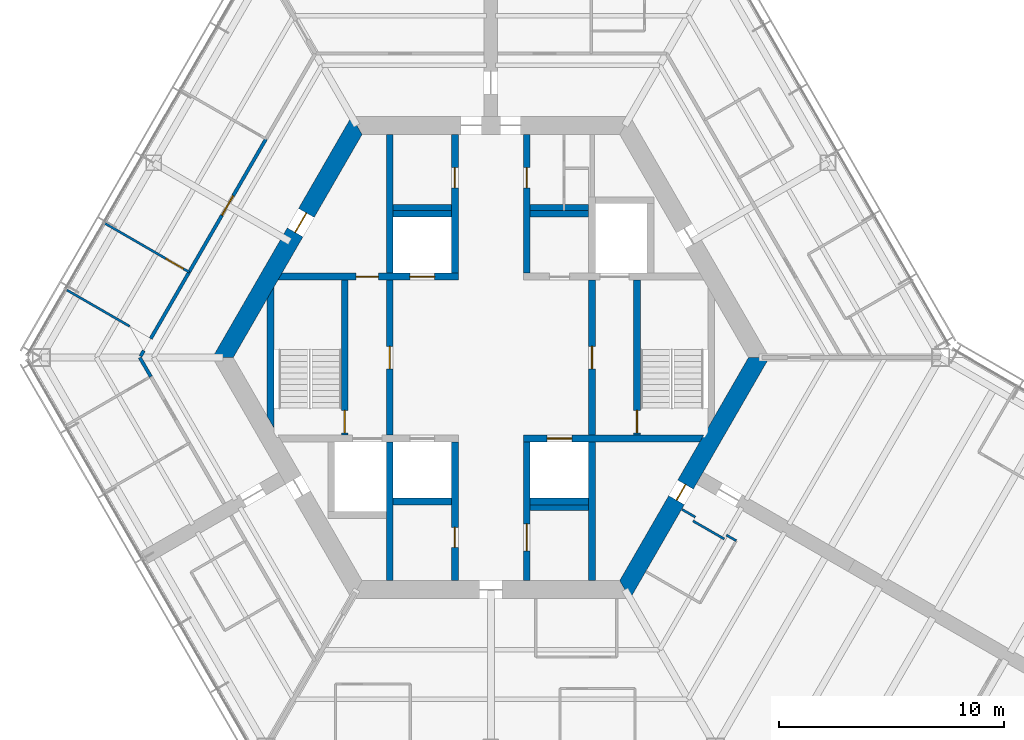
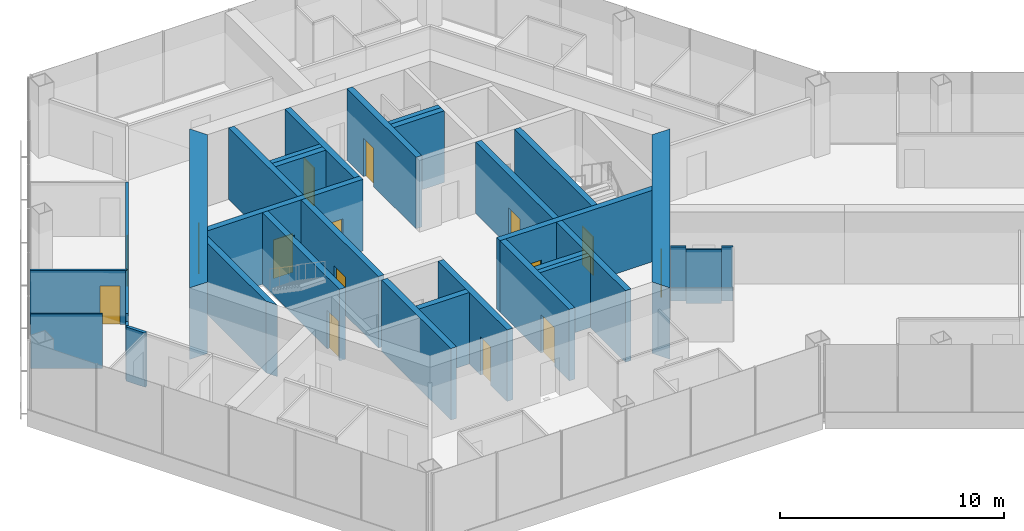
# One storey, part 11 of 17: 32 walls, 15 doors, 15 openings.
"""IFC4 building model written with IfcOpenShell, lengths in metres."""

from ifc_helpers import new_model, si_unit, direction, frame, frame_2d, origin, place, context, subcontext, project, spatial, polyline, rectangle, outline, extrude, material, layer, layer_set, type_object, element, fill, save


model = new_model("IFC4")

# Units and contexts
model_context = context("Model", 3, precision=1e-05, world=origin(), true_north=direction((0.0, 1.0)))
body_context = subcontext(model_context, "Body", "Model", "MODEL_VIEW")
ifc_project = project(units=[si_unit("LENGTHUNIT", "METRE"), si_unit("AREAUNIT", "SQUARE_METRE"), si_unit("VOLUMEUNIT", "CUBIC_METRE"), si_unit("PLANEANGLEUNIT", "RADIAN"), si_unit("MASSUNIT", "GRAM", prefix="KILO")], contexts=[model_context])

# Site, building, storey
site_placement = place(None, origin())
site = spatial("IfcSite", under=ifc_project, at=site_placement, CompositionType="ELEMENT")
building_placement = place(site_placement, origin())
building = spatial("IfcBuilding", under=site, at=building_placement, Name="Kasaneha Research Tower", CompositionType="ELEMENT")
storey_placement = place(building_placement, frame((0.0, 0.0, 228.39990234375)))
storey = spatial("IfcBuildingStorey", under=building, at=storey_placement, Name="L57", CompositionType="ELEMENT", Elevation=228.39990234375)

# Wall, openings, doors
ifc_material_1 = material(Name="Concrete Fc60", Category="concrete")
ifc_layer_1 = layer(ifc_material_1, 0.300048828125)
ifc_layer_set_1 = layer_set([ifc_layer_1], Name="Core internal wall 300 Fc60")
wall_type_1 = type_object("IfcWallType", Name="Core internal wall 300 Fc60", PredefinedType="SHEAR", material=ifc_layer_set_1)
wall_1_placement = place(storey_placement, frame((-9.3818359375, 3.60009765625, 0.0), z_axis=(0.0, 0.0, 1.0), x_axis=(1.0, 0.0, 0.0)))
wall_1 = element("IfcWall", 1, at=wall_1_placement, inside=storey, type_object=wall_type_1, Name="Core wall W1W L57", PredefinedType="SHEAR", context=body_context, shape_type="SweptSolid", body=[
    extrude(outline(polyline([(-0.086669921875, -0.14990234375), (3.3818359375, -0.14990234375), (4.3818359375, -0.14990234375), (5.781982421875, -0.14990234375), (6.882080078125, -0.14990234375), (7.931884765625, -0.14990234375), (7.931884765625, 0.14990234375), (6.882080078125, 0.14990234375), (5.781982421875, 0.14990234375), (4.3818359375, 0.14990234375), (3.3818359375, 0.14990234375), (0.086669921875, 0.14990234375), (-0.086669921875, -0.14990234375)])), origin(), (0.0, 0.0, 1.0), 3.900146484375),
])
opening_1_placement = place(wall_1_placement, frame((3.3818359375, 0.0, 0.0)))
opening_1 = element("IfcOpeningElement", 2, at=opening_1_placement, cuts=wall_1, Name="Opening L57-D12", PredefinedType="OPENING", context=body_context, shape_type="SweptSolid", body=[
    extrude(rectangle(XDim=1.0, YDim=2.10009765625, at=frame_2d((0.5, 1.050048828125))), frame((0.0, 0.16015625, 0.0), z_axis=(0.0, -1.0, 0.0), x_axis=(1.0, 0.0, 0.0)), (0.0, 0.0, 1.0), 0.320068359375),
])
opening_2_placement = place(wall_1_placement, frame((5.781982421875, 0.0, 0.0)))
opening_2 = element("IfcOpeningElement", 3, at=opening_2_placement, cuts=wall_1, Name="Opening LD-LH2-L57", PredefinedType="OPENING", context=body_context, shape_type="SweptSolid", body=[
    extrude(rectangle(XDim=1.10009765625, YDim=2.10009765625, at=frame_2d((0.550048828125, 1.050048828125))), frame((0.0, 0.16015625, 0.0), z_axis=(0.0, -1.0, 0.0), x_axis=(1.0, 0.0, 0.0)), (0.0, 0.0, 1.0), 0.320068359375),
])
ifc_material_2 = material(Name="Steel", Category="steel")
door_type_1 = type_object("IfcDoorType", Name="Lift landing door 1100x2100", OperationType="DOUBLE_DOOR_SLIDING", PredefinedType="DOOR", material=ifc_material_2)
door_1_placement = place(opening_2_placement, origin())
door_1 = element("IfcDoor", 4, at=door_1_placement, inside=storey, type_object=door_type_1, Name="Landing door LH2 LD-LH2-L57", OperationType="DOUBLE_DOOR_SLIDING", OverallHeight=2.10009765625, OverallWidth=1.10009765625, PredefinedType="DOOR", context=body_context, shape_type="SweptSolid", body=[
    extrude(rectangle(XDim=1.10009765625, YDim=2.10009765625, at=frame_2d((0.550048828125, 1.050048828125))), frame((0.0, 0.02490234375, 0.0), z_axis=(0.0, -1.0, 0.0), x_axis=(1.0, 0.0, 0.0)), (0.0, 0.0, 1.0), 0.050048828125),
])
fill(opening_2, door_1)
ifc_material_3 = material(Name="Steel", Category="steel")
door_type_2 = type_object("IfcDoorType", Name="Specified fire door FD60 1000x2100", OperationType="NOTDEFINED", PredefinedType="DOOR", material=ifc_material_3)
door_2_placement = place(opening_1_placement, origin())
door_2 = element("IfcDoor", 5, at=door_2_placement, inside=storey, type_object=door_type_2, Name="Vestibule to lobby door L57-D12", OperationType="SINGLE_SWING_LEFT", OverallHeight=2.10009765625, OverallWidth=1.0, PredefinedType="DOOR", context=body_context, shape_type="SweptSolid", body=[
    extrude(rectangle(XDim=1.0, YDim=2.10009765625, at=frame_2d((0.5, 1.050048828125))), frame((0.0, 0.02490234375, 0.0), z_axis=(0.0, -1.0, 0.0), x_axis=(1.0, 0.0, 0.0)), (0.0, 0.0, 1.0), 0.050048828125),
])
fill(opening_1, door_2)

# Wall, opening, door
wall_2_placement = place(storey_placement, frame((1.449951171875, -3.60009765625, 0.0), z_axis=(0.0, 0.0, 1.0), x_axis=(1.0, 0.0, 0.0)))
wall_2 = element("IfcWall", 6, at=wall_2_placement, inside=storey, type_object=wall_type_1, Name="Core wall W2E L57", PredefinedType="SHEAR", context=body_context, shape_type="SweptSolid", body=[
    extrude(outline(polyline([(0.0, -0.14990234375), (1.050048828125, -0.14990234375), (2.150146484375, -0.14990234375), (7.84521484375, -0.14990234375), (8.0185546875, 0.14990234375), (2.150146484375, 0.14990234375), (1.050048828125, 0.14990234375), (0.0, 0.14990234375), (0.0, -0.14990234375)])), origin(), (0.0, 0.0, 1.0), 3.900146484375),
])
opening_3_placement = place(wall_2_placement, frame((1.050048828125, 0.0, 0.0)))
opening_3 = element("IfcOpeningElement", 7, at=opening_3_placement, cuts=wall_2, Name="Opening LD-LH3-L57", PredefinedType="OPENING", context=body_context, shape_type="SweptSolid", body=[
    extrude(rectangle(XDim=1.10009765625, YDim=2.10009765625, at=frame_2d((0.550048828125, 1.050048828125))), frame((0.0, 0.16015625, 0.0), z_axis=(0.0, -1.0, 0.0), x_axis=(1.0, 0.0, 0.0)), (0.0, 0.0, 1.0), 0.320068359375),
])
door_3_placement = place(opening_3_placement, origin())
door_3 = element("IfcDoor", 8, at=door_3_placement, inside=storey, type_object=door_type_1, Name="Landing door LH3 LD-LH3-L57", OperationType="DOUBLE_DOOR_SLIDING", OverallHeight=2.10009765625, OverallWidth=1.10009765625, PredefinedType="DOOR", context=body_context, shape_type="SweptSolid", body=[
    extrude(rectangle(XDim=1.10009765625, YDim=2.10009765625, at=frame_2d((0.550048828125, 1.050048828125))), frame((0.0, 0.02490234375, 0.0), z_axis=(0.0, -1.0, 0.0), x_axis=(1.0, 0.0, 0.0)), (0.0, 0.0, 1.0), 0.050048828125),
])
fill(opening_3, door_3)

wall_3_placement = place(storey_placement, frame((-1.60009765625, 3.75, 0.0), z_axis=(0.0, 0.0, 1.0), x_axis=(0.0, 1.0, 0.0)))
wall_3 = element("IfcWall", 9, at=wall_3_placement, inside=storey, type_object=wall_type_1, Name="Core wall CNW L57", PredefinedType="SHEAR", context=body_context, shape_type="SweptSolid", body=[
    extrude(rectangle(XDim=6.175048828125, YDim=0.300048828125, at=frame_2d((3.08740234375, 0.0))), origin(), (0.0, 0.0, 1.0), 3.900146484375),
])
opening_4_placement = place(wall_3_placement, frame((3.800048828125, 0.0, 0.0)))
opening_4 = element("IfcOpeningElement", 10, at=opening_4_placement, cuts=wall_3, Name="Opening L57-D13", PredefinedType="OPENING", context=body_context, shape_type="SweptSolid", body=[
    extrude(rectangle(XDim=0.89990234375, YDim=2.10009765625, at=frame_2d((0.449951171875, 1.050048828125))), frame((0.0, 0.16015625, 0.0), z_axis=(0.0, -1.0, 0.0), x_axis=(1.0, 0.0, 0.0)), (0.0, 0.0, 1.0), 0.320068359375),
])
ifc_material_4 = material(Name="Steel", Category="steel")
door_type_3 = type_object("IfcDoorType", Name="Toilet door FD20 900x2100", OperationType="NOTDEFINED", PredefinedType="DOOR", material=ifc_material_4)
door_4_placement = place(opening_4_placement, origin())
door_4 = element("IfcDoor", 11, at=door_4_placement, inside=storey, type_object=door_type_3, Name="Men's WC door L57-D13", OperationType="SINGLE_SWING_LEFT", OverallHeight=2.10009765625, OverallWidth=0.89990234375, PredefinedType="DOOR", context=body_context, shape_type="SweptSolid", body=[
    extrude(rectangle(XDim=0.89990234375, YDim=2.10009765625, at=frame_2d((0.449951171875, 1.050048828125))), frame((0.0, 0.02490234375, 0.0), z_axis=(0.0, -1.0, 0.0), x_axis=(1.0, 0.0, 0.0)), (0.0, 0.0, 1.0), 0.050048828125),
])
fill(opening_4, door_4)

wall_4_placement = place(storey_placement, frame((1.60009765625, 3.75, 0.0), z_axis=(0.0, 0.0, 1.0), x_axis=(0.0, 1.0, 0.0)))
wall_4 = element("IfcWall", 12, at=wall_4_placement, inside=storey, type_object=wall_type_1, Name="Core wall CNE L57", PredefinedType="SHEAR", context=body_context, shape_type="SweptSolid", body=[
    extrude(rectangle(XDim=6.175048828125, YDim=0.300048828125, at=frame_2d((3.08740234375, 0.0))), origin(), (0.0, 0.0, 1.0), 3.900146484375),
])
opening_5_placement = place(wall_4_placement, frame((3.800048828125, 0.0, 0.0)))
opening_5 = element("IfcOpeningElement", 13, at=opening_5_placement, cuts=wall_4, Name="Opening L57-D14", PredefinedType="OPENING", context=body_context, shape_type="SweptSolid", body=[
    extrude(rectangle(XDim=0.89990234375, YDim=2.10009765625, at=frame_2d((0.449951171875, 1.050048828125))), frame((0.0, 0.16015625, 0.0), z_axis=(0.0, -1.0, 0.0), x_axis=(1.0, 0.0, 0.0)), (0.0, 0.0, 1.0), 0.320068359375),
])
door_5_placement = place(opening_5_placement, origin())
door_5 = element("IfcDoor", 14, at=door_5_placement, inside=storey, type_object=door_type_3, Name="Women's WC door L57-D14", OperationType="SINGLE_SWING_LEFT", OverallHeight=2.10009765625, OverallWidth=0.89990234375, PredefinedType="DOOR", context=body_context, shape_type="SweptSolid", body=[
    extrude(rectangle(XDim=0.89990234375, YDim=2.10009765625, at=frame_2d((0.449951171875, 1.050048828125))), frame((0.0, 0.02490234375, 0.0), z_axis=(0.0, -1.0, 0.0), x_axis=(1.0, 0.0, 0.0)), (0.0, 0.0, 1.0), 0.050048828125),
])
fill(opening_5, door_5)

wall_5_placement = place(storey_placement, frame((-1.60009765625, -3.75, 0.0), z_axis=(0.0, 0.0, 1.0), x_axis=(0.0, -1.0, 0.0)))
wall_5 = element("IfcWall", 15, at=wall_5_placement, inside=storey, type_object=wall_type_1, Name="Core wall CSW L57", PredefinedType="SHEAR", context=body_context, shape_type="SweptSolid", body=[
    extrude(rectangle(XDim=6.175048828125, YDim=0.300048828125, at=frame_2d((3.08740234375, 0.0))), origin(), (0.0, 0.0, 1.0), 3.900146484375),
])
opening_6_placement = place(wall_5_placement, frame((3.800048828125, 0.0, 0.0)))
opening_6 = element("IfcOpeningElement", 16, at=opening_6_placement, cuts=wall_5, Name="Opening L57-D16", PredefinedType="OPENING", context=body_context, shape_type="SweptSolid", body=[
    extrude(rectangle(XDim=0.89990234375, YDim=2.10009765625, at=frame_2d((0.449951171875, 1.050048828125))), frame((0.0, 0.16015625, 0.0), z_axis=(0.0, -1.0, 0.0), x_axis=(1.0, 0.0, 0.0)), (0.0, 0.0, 1.0), 0.320068359375),
])
ifc_material_5 = material(Name="Steel", Category="steel")
door_type_4 = type_object("IfcDoorType", Name="Riser access door FD60 900x2100", OperationType="NOTDEFINED", PredefinedType="DOOR", material=ifc_material_5)
door_6_placement = place(opening_6_placement, origin())
door_6 = element("IfcDoor", 17, at=door_6_placement, inside=storey, type_object=door_type_4, Name="Electrical riser door L57-D16", OperationType="SINGLE_SWING_LEFT", OverallHeight=2.10009765625, OverallWidth=0.89990234375, PredefinedType="DOOR", context=body_context, shape_type="SweptSolid", body=[
    extrude(rectangle(XDim=0.89990234375, YDim=2.10009765625, at=frame_2d((0.449951171875, 1.050048828125))), frame((0.0, 0.02490234375, 0.0), z_axis=(0.0, -1.0, 0.0), x_axis=(1.0, 0.0, 0.0)), (0.0, 0.0, 1.0), 0.050048828125),
])
fill(opening_6, door_6)

wall_6_placement = place(storey_placement, frame((1.60009765625, -3.75, 0.0), z_axis=(0.0, 0.0, 1.0), x_axis=(0.0, -1.0, 0.0)))
wall_6 = element("IfcWall", 18, at=wall_6_placement, inside=storey, type_object=wall_type_1, Name="Core wall CSE L57", PredefinedType="SHEAR", context=body_context, shape_type="SweptSolid", body=[
    extrude(rectangle(XDim=6.175048828125, YDim=0.300048828125, at=frame_2d((3.08740234375, 0.0))), origin(), (0.0, 0.0, 1.0), 3.900146484375),
])
opening_7_placement = place(wall_6_placement, frame((3.64990234375, 0.0, 0.0)))
opening_7 = element("IfcOpeningElement", 19, at=opening_7_placement, cuts=wall_6, Name="Opening L57-D15", PredefinedType="OPENING", context=body_context, shape_type="SweptSolid", body=[
    extrude(rectangle(XDim=1.199951171875, YDim=2.10009765625, at=frame_2d((0.60009765625, 1.050048828125))), frame((0.0, 0.16015625, 0.0), z_axis=(0.0, -1.0, 0.0), x_axis=(1.0, 0.0, 0.0)), (0.0, 0.0, 1.0), 0.320068359375),
])
ifc_material_6 = material(Name="Steel", Category="steel")
door_type_5 = type_object("IfcDoorType", Name="Accessible toilet sliding door FD20 1200x2100", OperationType="SLIDING_TO_LEFT", PredefinedType="DOOR", material=ifc_material_6)
door_7_placement = place(opening_7_placement, origin())
door_7 = element("IfcDoor", 20, at=door_7_placement, inside=storey, type_object=door_type_5, Name="Accessible WC door L57-D15", OperationType="SLIDING_TO_LEFT", OverallHeight=2.10009765625, OverallWidth=1.199951171875, PredefinedType="DOOR", context=body_context, shape_type="SweptSolid", body=[
    extrude(rectangle(XDim=1.199951171875, YDim=2.10009765625, at=frame_2d((0.60009765625, 1.050048828125))), frame((0.0, 0.02490234375, 0.0), z_axis=(0.0, -1.0, 0.0), x_axis=(1.0, 0.0, 0.0)), (0.0, 0.0, 1.0), 0.050048828125),
])
fill(opening_7, door_7)

wall_7_placement = place(storey_placement, frame((-4.5, -3.449951171875, 0.0), z_axis=(0.0, 0.0, 1.0), x_axis=(0.0, 1.0, 0.0)))
wall_7 = element("IfcWall", 21, at=wall_7_placement, inside=storey, type_object=wall_type_1, Name="Core wall LBW L57", PredefinedType="SHEAR", context=body_context, shape_type="SweptSolid", body=[
    extrude(rectangle(XDim=6.89990234375, YDim=0.300048828125, at=frame_2d((3.449951171875, 0.0))), origin(), (0.0, 0.0, 1.0), 3.900146484375),
])
opening_8_placement = place(wall_7_placement, frame((2.949951171875, 0.0, 0.0)))
opening_8 = element("IfcOpeningElement", 22, at=opening_8_placement, cuts=wall_7, Name="Opening L57-D09", PredefinedType="OPENING", context=body_context, shape_type="SweptSolid", body=[
    extrude(rectangle(XDim=1.0, YDim=2.10009765625, at=frame_2d((0.5, 1.050048828125))), frame((0.0, 0.16015625, 0.0), z_axis=(0.0, -1.0, 0.0), x_axis=(1.0, 0.0, 0.0)), (0.0, 0.0, 1.0), 0.320068359375),
])
door_8_placement = place(opening_8_placement, origin())
door_8 = element("IfcDoor", 23, at=door_8_placement, inside=storey, type_object=door_type_2, Name="Lift lobby door west L57-D09", OperationType="SINGLE_SWING_LEFT", OverallHeight=2.10009765625, OverallWidth=1.0, PredefinedType="DOOR", context=body_context, shape_type="SweptSolid", body=[
    extrude(rectangle(XDim=1.0, YDim=2.10009765625, at=frame_2d((0.5, 1.050048828125))), frame((0.0, 0.02490234375, 0.0), z_axis=(0.0, -1.0, 0.0), x_axis=(1.0, 0.0, 0.0)), (0.0, 0.0, 1.0), 0.050048828125),
])
fill(opening_8, door_8)

wall_8_placement = place(storey_placement, frame((4.5, -3.449951171875, 0.0), z_axis=(0.0, 0.0, 1.0), x_axis=(0.0, 1.0, 0.0)))
wall_8 = element("IfcWall", 24, at=wall_8_placement, inside=storey, type_object=wall_type_1, Name="Core wall LBE L57", PredefinedType="SHEAR", context=body_context, shape_type="SweptSolid", body=[
    extrude(rectangle(XDim=6.89990234375, YDim=0.300048828125, at=frame_2d((3.449951171875, 0.0))), origin(), (0.0, 0.0, 1.0), 3.900146484375),
])
opening_9_placement = place(wall_8_placement, frame((2.949951171875, 0.0, 0.0)))
opening_9 = element("IfcOpeningElement", 25, at=opening_9_placement, cuts=wall_8, Name="Opening L57-D08", PredefinedType="OPENING", context=body_context, shape_type="SweptSolid", body=[
    extrude(rectangle(XDim=1.0, YDim=2.10009765625, at=frame_2d((0.5, 1.050048828125))), frame((0.0, 0.16015625, 0.0), z_axis=(0.0, -1.0, 0.0), x_axis=(1.0, 0.0, 0.0)), (0.0, 0.0, 1.0), 0.320068359375),
])
door_9_placement = place(opening_9_placement, origin())
door_9 = element("IfcDoor", 26, at=door_9_placement, inside=storey, type_object=door_type_2, Name="Lift lobby door east L57-D08", OperationType="SINGLE_SWING_LEFT", OverallHeight=2.10009765625, OverallWidth=1.0, PredefinedType="DOOR", context=body_context, shape_type="SweptSolid", body=[
    extrude(rectangle(XDim=1.0, YDim=2.10009765625, at=frame_2d((0.5, 1.050048828125))), frame((0.0, 0.02490234375, 0.0), z_axis=(0.0, -1.0, 0.0), x_axis=(1.0, 0.0, 0.0)), (0.0, 0.0, 1.0), 0.050048828125),
])
fill(opening_9, door_9)

wall_9_placement = place(storey_placement, frame((-6.5, -3.449951171875, 0.0), z_axis=(0.0, 0.0, 1.0), x_axis=(0.0, 1.0, 0.0)))
wall_9 = element("IfcWall", 27, at=wall_9_placement, inside=storey, type_object=wall_type_1, Name="Core wall ANW L57", PredefinedType="SHEAR", context=body_context, shape_type="SweptSolid", body=[
    extrude(rectangle(XDim=6.89990234375, YDim=0.300048828125, at=frame_2d((3.449951171875, 0.0))), origin(), (0.0, 0.0, 1.0), 3.900146484375),
])
opening_10_placement = place(wall_9_placement, frame((0.10009765625, 0.0, 0.0)))
opening_10 = element("IfcOpeningElement", 28, at=opening_10_placement, cuts=wall_9, Name="Opening L57-D11", PredefinedType="OPENING", context=body_context, shape_type="SweptSolid", body=[
    extrude(rectangle(XDim=1.0, YDim=2.10009765625, at=frame_2d((0.5, 1.050048828125))), frame((0.0, 0.16015625, 0.0), z_axis=(0.0, -1.0, 0.0), x_axis=(1.0, 0.0, 0.0)), (0.0, 0.0, 1.0), 0.320068359375),
])
door_10_placement = place(opening_10_placement, origin())
door_10 = element("IfcDoor", 29, at=door_10_placement, inside=storey, type_object=door_type_2, Name="Stair 2 door L57-D11", OperationType="SINGLE_SWING_LEFT", OverallHeight=2.10009765625, OverallWidth=1.0, PredefinedType="DOOR", context=body_context, shape_type="SweptSolid", body=[
    extrude(rectangle(XDim=1.0, YDim=2.10009765625, at=frame_2d((0.5, 1.050048828125))), frame((0.0, 0.02490234375, 0.0), z_axis=(0.0, -1.0, 0.0), x_axis=(1.0, 0.0, 0.0)), (0.0, 0.0, 1.0), 0.050048828125),
])
fill(opening_10, door_10)

wall_10_placement = place(storey_placement, frame((6.5, -3.449951171875, 0.0), z_axis=(0.0, 0.0, 1.0), x_axis=(0.0, 1.0, 0.0)))
wall_10 = element("IfcWall", 30, at=wall_10_placement, inside=storey, type_object=wall_type_1, Name="Core wall ANE L57", PredefinedType="SHEAR", context=body_context, shape_type="SweptSolid", body=[
    extrude(rectangle(XDim=6.89990234375, YDim=0.300048828125, at=frame_2d((3.449951171875, 0.0))), origin(), (0.0, 0.0, 1.0), 3.900146484375),
])
opening_11_placement = place(wall_10_placement, frame((0.10009765625, 0.0, 0.0)))
opening_11 = element("IfcOpeningElement", 31, at=opening_11_placement, cuts=wall_10, Name="Opening L57-D10", PredefinedType="OPENING", context=body_context, shape_type="SweptSolid", body=[
    extrude(rectangle(XDim=1.0, YDim=2.10009765625, at=frame_2d((0.5, 1.050048828125))), frame((0.0, 0.16015625, 0.0), z_axis=(0.0, -1.0, 0.0), x_axis=(1.0, 0.0, 0.0)), (0.0, 0.0, 1.0), 0.320068359375),
])
door_11_placement = place(opening_11_placement, origin())
door_11 = element("IfcDoor", 32, at=door_11_placement, inside=storey, type_object=door_type_2, Name="Stair 1 door L57-D10", OperationType="SINGLE_SWING_LEFT", OverallHeight=2.10009765625, OverallWidth=1.0, PredefinedType="DOOR", context=body_context, shape_type="SweptSolid", body=[
    extrude(rectangle(XDim=1.0, YDim=2.10009765625, at=frame_2d((0.5, 1.050048828125))), frame((0.0, 0.02490234375, 0.0), z_axis=(0.0, -1.0, 0.0), x_axis=(1.0, 0.0, 0.0)), (0.0, 0.0, 1.0), 0.050048828125),
])
fill(opening_11, door_11)

# Walls
for number, where, z_axis, x_axis, name in (
    (33, (-4.5, 3.75, 0.0), (0.0, 0.0, 1.0), (0.0, 1.0, 0.0), "Core wall VNW L57"),
    (34, (-4.5, -3.75, 0.0), (0.0, 0.0, 1.0), (0.0, -1.0, 0.0), "Core wall SSW L57"),
    (35, (4.5, -3.75, 0.0), (0.0, 0.0, 1.0), (0.0, -1.0, 0.0), "Core wall SSE L57"),
):
    element("IfcWall", number, at=place(storey_placement, frame(where, z_axis=z_axis, x_axis=x_axis)), inside=storey, type_object=wall_type_1, Name=name, PredefinedType="SHEAR", context=body_context, shape_type="SweptSolid", body=[
        extrude(rectangle(XDim=6.175048828125, YDim=0.300048828125, at=frame_2d((3.08740234375, 0.0))), origin(), (0.0, 0.0, 1.0), 3.900146484375),
    ])
for number, where, z_axis, x_axis, name in (
    (36, (-4.35009765625, 6.39990234375, 0.0), (0.0, 0.0, 1.0), (1.0, 0.0, 0.0), "Core wall N1N L57"),
    (37, (1.75, 6.39990234375, 0.0), (0.0, 0.0, 1.0), (1.0, 0.0, 0.0), "Core wall N3N L57"),
    (38, (-4.35009765625, -6.39990234375, 0.0), (0.0, 0.0, 1.0), (1.0, 0.0, 0.0), "Core wall S1S L57"),
    (39, (1.75, -6.39990234375, 0.0), (0.0, 0.0, 1.0), (1.0, 0.0, 0.0), "Core wall S3S L57"),
):
    element("IfcWall", number, at=place(storey_placement, frame(where, z_axis=z_axis, x_axis=x_axis)), inside=storey, type_object=wall_type_1, Name=name, PredefinedType="SHEAR", context=body_context, shape_type="SweptSolid", body=[
        extrude(rectangle(XDim=2.60009765625, YDim=0.300048828125, at=frame_2d((1.300048828125, 0.0))), origin(), (0.0, 0.0, 1.0), 3.900146484375),
    ])
wall_11_placement = place(storey_placement, frame((-9.807861328125, -2.8623046875, 0.0), z_axis=(0.0, 0.0, 1.0), x_axis=(0.0, 1.0, 0.0)))
element("IfcWall", 40, at=wall_11_placement, inside=storey, type_object=wall_type_1, Name="Core wall STW L57", PredefinedType="SHEAR", context=body_context, shape_type="SweptSolid", body=[
    extrude(outline(polyline([(-0.259765625, -0.14990234375), (5.984375, -0.14990234375), (5.46484375, 0.14990234375), (0.259765625, 0.14990234375), (-0.259765625, -0.14990234375)])), origin(), (0.0, 0.0, 1.0), 3.900146484375),
])

# Wall, opening, door
ifc_material_7 = material(Name="Concrete Fc60", Category="concrete")
ifc_layer_2 = layer(ifc_material_7, 0.800048828125)
ifc_layer_set_2 = layer_set([ifc_layer_2], Name="Core wall 800 Fc60")
wall_type_2 = type_object("IfcWallType", Name="Core wall 800 Fc60", PredefinedType="SHEAR", material=ifc_layer_set_2)
wall_12_placement = place(storey_placement, frame((-5.961181640625, 10.324951171875, 0.0), z_axis=(0.0, 0.0, 1.0), x_axis=(-0.500004296715, -0.866022923061, 0.0)))
wall_12 = element("IfcWall", 41, at=wall_12_placement, inside=storey, type_object=wall_type_2, Name="Core wall 150 L57", PredefinedType="SHEAR", context=body_context, shape_type="SweptSolid", body=[
    extrude(outline(polyline([(-0.23095703125, -0.39990234375), (4.494140625, -0.39990234375), (5.494140625, -0.39990234375), (12.1533203125, -0.39990234375), (11.69140625, 0.39990234375), (5.494140625, 0.39990234375), (4.494140625, 0.39990234375), (0.23095703125, 0.39990234375), (-0.23095703125, -0.39990234375)])), origin(), (0.0, 0.0, 1.0), 3.900146484375),
])
opening_12_placement = place(wall_12_placement, frame((4.494140625, 0.0, 0.0)))
opening_12 = element("IfcOpeningElement", 42, at=opening_12_placement, cuts=wall_12, Name="Opening L57-D07", PredefinedType="OPENING", context=body_context, shape_type="SweptSolid", body=[
    extrude(rectangle(XDim=1.0, YDim=2.10009765625, at=frame_2d((0.5, 1.050048828125))), frame((0.0, 0.41015625, 0.0), z_axis=(0.0, -1.0, 0.0), x_axis=(1.0, 0.0, 0.0)), (0.0, 0.0, 1.0), 0.820068359375),
])
ifc_material_8 = material(Name="Steel", Category="steel")
door_type_6 = type_object("IfcDoorType", Name="Fire door FD20 1000x2100", OperationType="NOTDEFINED", PredefinedType="DOOR", material=ifc_material_8)
door_12_placement = place(opening_12_placement, origin())
door_12 = element("IfcDoor", 43, at=door_12_placement, inside=storey, type_object=door_type_6, Name="Vestibule door L57-D07", OperationType="SINGLE_SWING_LEFT", OverallHeight=2.10009765625, OverallWidth=1.0, PredefinedType="DOOR", context=body_context, shape_type="SweptSolid", body=[
    extrude(rectangle(XDim=1.0, YDim=2.10009765625, at=frame_2d((0.5, 1.050048828125))), frame((0.0, 0.02490234375, 0.0), z_axis=(0.0, -1.0, 0.0), x_axis=(1.0, 0.0, 0.0)), (0.0, 0.0, 1.0), 0.050048828125),
])
fill(opening_12, door_12)

wall_13_placement = place(storey_placement, frame((5.961181640625, -10.324951171875, 0.0), z_axis=(0.0, 0.0, 1.0), x_axis=(0.500004296715, 0.866022923061, 0.0)))
wall_13 = element("IfcWall", 44, at=wall_13_placement, inside=storey, type_object=wall_type_2, Name="Core wall 330 L57", PredefinedType="SHEAR", context=body_context, shape_type="SweptSolid", body=[
    extrude(outline(polyline([(-0.23095703125, -0.39990234375), (4.593994140625, -0.39990234375), (5.39404296875, -0.39990234375), (12.1533203125, -0.39990234375), (11.69140625, 0.39990234375), (5.39404296875, 0.39990234375), (4.593994140625, 0.39990234375), (0.23095703125, 0.39990234375), (-0.23095703125, -0.39990234375)])), origin(), (0.0, 0.0, 1.0), 3.900146484375),
])
opening_13_placement = place(wall_13_placement, frame((4.593994140625, 0.0, 0.0)))
opening_13 = element("IfcOpeningElement", 45, at=opening_13_placement, cuts=wall_13, Name="Opening L57-D05", PredefinedType="OPENING", context=body_context, shape_type="SweptSolid", body=[
    extrude(rectangle(XDim=0.800048828125, YDim=2.10009765625, at=frame_2d((0.39990234375, 1.050048828125))), frame((0.0, 0.41015625, 0.0), z_axis=(0.0, -1.0, 0.0), x_axis=(1.0, 0.0, 0.0)), (0.0, 0.0, 1.0), 0.820068359375),
])
ifc_material_9 = material(Name="Steel", Category="steel")
door_type_7 = type_object("IfcDoorType", Name="Riser access door FD60 800x2100", OperationType="NOTDEFINED", PredefinedType="DOOR", material=ifc_material_9)
door_13_placement = place(opening_13_placement, origin())
door_13 = element("IfcDoor", 46, at=door_13_placement, inside=storey, type_object=door_type_7, Name="Pipe riser door L57-D05", OperationType="SINGLE_SWING_LEFT", OverallHeight=2.10009765625, OverallWidth=0.800048828125, PredefinedType="DOOR", context=body_context, shape_type="SweptSolid", body=[
    extrude(rectangle(XDim=0.800048828125, YDim=2.10009765625, at=frame_2d((0.39990234375, 1.050048828125))), frame((0.0, 0.02490234375, 0.0), z_axis=(0.0, -1.0, 0.0), x_axis=(1.0, 0.0, 0.0)), (0.0, 0.0, 1.0), 0.050048828125),
])
fill(opening_13, door_13)

# Wall
ifc_material_10 = material(Name="Gypsum board on steel studs, one layer each side", Category="steel")
ifc_layer_3 = layer(ifc_material_10, 0.10009765625)
ifc_layer_set_3 = layer_set([ifc_layer_3], Name="Office partition 100")
wall_type_3 = type_object("IfcWallType", Name="Office partition 100", PredefinedType="PARTITIONING", material=ifc_layer_set_3)
wall_14_placement = place(storey_placement, frame((-16.06689453125, 1.388427734375, 0.0), z_axis=(0.0, 0.0, 1.0), x_axis=(-0.866010186656, 0.500026355914, 0.0)))
element("IfcWall", 47, at=wall_14_placement, inside=storey, type_object=wall_type_3, Name="Office partition FBN08 L57", PredefinedType="PARTITIONING", context=body_context, shape_type="SweptSolid", body=[
    extrude(rectangle(XDim=3.221923828125, YDim=0.10009765625, at=frame_2d((1.61083984375, 0.0))), origin(), (0.0, 0.0, 1.0), 2.9501953125),
])

# Wall, opening, door
wall_15_placement = place(storey_placement, frame((-17.1708984375, 5.969970703125, 0.0), z_axis=(0.0, 0.0, 1.0), x_axis=(0.865485466478, -0.500934034894, 0.0)))
wall_15 = element("IfcWall", 48, at=wall_15_placement, inside=storey, type_object=wall_type_3, Name="Office partition FBN09 L57", PredefinedType="PARTITIONING", context=body_context, shape_type="SweptSolid", body=[
    extrude(rectangle(XDim=4.330322265625, YDim=0.10009765625, at=frame_2d((2.1650390625, 0.0))), origin(), (0.0, 0.0, 1.0), 2.9501953125),
])
opening_14_placement = place(wall_15_placement, frame((3.130615234375, 0.0, 0.0)))
opening_14 = element("IfcOpeningElement", 49, at=opening_14_placement, cuts=wall_15, Name="Opening L57-D35", PredefinedType="OPENING", context=body_context, shape_type="SweptSolid", body=[
    extrude(rectangle(XDim=0.89990234375, YDim=2.10009765625, at=frame_2d((0.449951171875, 1.050048828125))), frame((0.0, 0.06005859375, 0.0), z_axis=(0.0, -1.0, 0.0), x_axis=(1.0, 0.0, 0.0)), (0.0, 0.0, 1.0), 0.1201171875),
])
ifc_material_11 = material(Name="Timber veneer", Category="wood")
door_type_8 = type_object("IfcDoorType", Name="Office door 900x2100", OperationType="SINGLE_SWING_LEFT", PredefinedType="DOOR", material=ifc_material_11)
door_14_placement = place(opening_14_placement, origin())
door_14 = element("IfcDoor", 50, at=door_14_placement, inside=storey, type_object=door_type_8, Name="Meeting room door L57-D35", OperationType="SINGLE_SWING_RIGHT", OverallHeight=2.10009765625, OverallWidth=0.89990234375, PredefinedType="DOOR", context=body_context, shape_type="SweptSolid", body=[
    extrude(rectangle(XDim=0.89990234375, YDim=2.10009765625, at=frame_2d((0.449951171875, 1.050048828125))), frame((0.0, 0.02490234375, 0.0), z_axis=(0.0, -1.0, 0.0), x_axis=(1.0, 0.0, 0.0)), (0.0, 0.0, 1.0), 0.050048828125),
])
fill(opening_14, door_14)

# Walls
wall_16_placement = place(storey_placement, frame((8.50537109375, -6.758056640625, 0.0), z_axis=(0.0, 0.0, 1.0), x_axis=(0.865958369053, -0.50011608959, 0.0)))
element("IfcWall", 51, at=wall_16_placement, inside=storey, type_object=wall_type_3, Name="Office partition FCS01 L57", PredefinedType="PARTITIONING", context=body_context, shape_type="SweptSolid", body=[
    extrude(rectangle(XDim=0.679931640625, YDim=0.10009765625, at=frame_2d((0.33984375, 0.0))), origin(), (0.0, 0.0, 1.0), 2.9501953125),
])
wall_17_placement = place(storey_placement, frame((8.994384765625, -7.271240234375, 0.0), z_axis=(0.0, 0.0, 1.0), x_axis=(0.865989903783, -0.500061482766, 0.0)))
element("IfcWall", 52, at=wall_17_placement, inside=storey, type_object=wall_type_3, Name="Office partition FCS02 L57", PredefinedType="PARTITIONING", context=body_context, shape_type="SweptSolid", body=[
    extrude(rectangle(XDim=1.599853515625, YDim=0.10009765625, at=frame_2d((0.7998046875, 0.0))), origin(), (0.0, 0.0, 1.0), 2.9501953125),
])
wall_18_placement = place(storey_placement, frame((10.47998046875, -7.898193359375, 0.0), z_axis=(0.0, 0.0, 1.0), x_axis=(0.866071776036, -0.499919672301, 0.0)))
element("IfcWall", 53, at=wall_18_placement, inside=storey, type_object=wall_type_3, Name="Office partition FCS04 L57", PredefinedType="PARTITIONING", context=body_context, shape_type="SweptSolid", body=[
    extrude(rectangle(XDim=0.5, YDim=0.10009765625, at=frame_2d((0.25, 0.0))), origin(), (0.0, 0.0, 1.0), 2.9501953125),
])
ifc_material_12 = material(Name="Gypsum board on steel studs, two layers each side", Category="steel")
ifc_layer_4 = layer(ifc_material_12, 0.14990234375)
ifc_layer_set_4 = layer_set([ifc_layer_4], Name="Suite partition 150")
wall_type_4 = type_object("IfcWallType", Name="Suite partition 150", PredefinedType="PARTITIONING", material=ifc_layer_set_4)
wall_19_placement = place(storey_placement, frame((-15.131103515625, 0.84228515625, 0.0), z_axis=(0.0, 0.0, 1.0), x_axis=(0.500032973541, 0.866006365664, 0.0)))
element("IfcWall", 54, at=wall_19_placement, inside=storey, type_object=wall_type_4, Name="Suite partition FBN01 L57", PredefinedType="PARTITIONING", context=body_context, shape_type="SweptSolid", body=[
    extrude(rectangle(XDim=3.425537109375, YDim=0.14990234375, at=frame_2d((1.712890625, 0.0))), origin(), (0.0, 0.0, 1.0), 2.9501953125),
])
wall_20_placement = place(storey_placement, frame((-15.584716796875, 0.056396484375, 0.0), z_axis=(0.0, 0.0, 1.0), x_axis=(0.500164219654, 0.865930570761, 0.0)))
element("IfcWall", 55, at=wall_20_placement, inside=storey, type_object=wall_type_4, Name="Suite partition FBN04 L57", PredefinedType="PARTITIONING", context=body_context, shape_type="SweptSolid", body=[
    extrude(rectangle(XDim=0.287109375, YDim=0.14990234375, at=frame_2d((0.1435546875, 0.0))), origin(), (0.0, 0.0, 1.0), 2.9501953125),
])
wall_21_placement = place(storey_placement, frame((-15.1259765625, -0.85107421875, 0.0), z_axis=(0.0, 0.0, 1.0), x_axis=(-0.499880173341, 0.866094574686, 0.0)))
element("IfcWall", 56, at=wall_21_placement, inside=storey, type_object=wall_type_4, Name="Suite partition FBN05 L57", PredefinedType="PARTITIONING", context=body_context, shape_type="SweptSolid", body=[
    extrude(rectangle(XDim=0.982666015625, YDim=0.14990234375, at=frame_2d((0.4912109375, 0.0))), origin(), (0.0, 0.0, 1.0), 2.9501953125),
])

# Wall, opening, door
wall_22_placement = place(storey_placement, frame((-13.423095703125, 3.80078125, 0.0), z_axis=(0.0, 0.0, 1.0), x_axis=(0.500020088259, 0.866013805512, 0.0)))
wall_22 = element("IfcWall", 57, at=wall_22_placement, inside=storey, type_object=wall_type_4, Name="Suite partition FBN06 L57", PredefinedType="PARTITIONING", context=body_context, shape_type="SweptSolid", body=[
    extrude(rectangle(XDim=6.840087890625, YDim=0.14990234375, at=frame_2d((3.419921875, 0.0))), origin(), (0.0, 0.0, 1.0), 2.9501953125),
])
opening_15_placement = place(wall_22_placement, frame((2.919921875, 0.0, 0.0)))
opening_15 = element("IfcOpeningElement", 58, at=opening_15_placement, cuts=wall_22, Name="Opening L57-D33", PredefinedType="OPENING", context=body_context, shape_type="SweptSolid", body=[
    extrude(rectangle(XDim=1.0, YDim=2.10009765625, at=frame_2d((0.5, 1.050048828125))), frame((0.0, 0.0849609375, 0.0), z_axis=(0.0, -1.0, 0.0), x_axis=(1.0, 0.0, 0.0)), (0.0, 0.0, 1.0), 0.169921875),
])
ifc_material_13 = material(Name="Steel", Category="steel")
door_type_9 = type_object("IfcDoorType", Name="Suite entrance door FD60 1000x2100", OperationType="NOTDEFINED", PredefinedType="DOOR", material=ifc_material_13)
door_15_placement = place(opening_15_placement, origin())
door_15 = element("IfcDoor", 59, at=door_15_placement, inside=storey, type_object=door_type_9, Name="Suite entrance door L57-D33", OperationType="SINGLE_SWING_RIGHT", OverallHeight=2.10009765625, OverallWidth=1.0, PredefinedType="DOOR", context=body_context, shape_type="SweptSolid", body=[
    extrude(rectangle(XDim=1.0, YDim=2.10009765625, at=frame_2d((0.5, 1.050048828125))), frame((0.0, 0.02490234375, 0.0), z_axis=(0.0, -1.0, 0.0), x_axis=(1.0, 0.0, 0.0)), (0.0, 0.0, 1.0), 0.050048828125),
])
fill(opening_15, door_15)

# Walls
ifc_material_14 = material(Name="Concrete block lining", Category="concrete")
ifc_layer_5 = layer(ifc_material_14, 0.25)
ifc_layer_set_5 = layer_set([ifc_layer_5], Name="WC plumbing wall 250")
wall_type_5 = type_object("IfcWallType", Name="WC plumbing wall 250", PredefinedType="PLUMBINGWALL", material=ifc_layer_set_5)
for number, where, z_axis, x_axis, name in (
    (60, (-4.35009765625, 6.675048828125, 0.0), (0.0, 0.0, 1.0), (1.0, 0.0, 0.0), "WC plumbing wall M L57"),
    (61, (1.75, 6.675048828125, 0.0), (0.0, 0.0, 1.0), (1.0, 0.0, 0.0), "WC plumbing wall F L57"),
    (62, (1.75, -6.675048828125, 0.0), (0.0, 0.0, 1.0), (1.0, 0.0, 0.0), "WC plumbing wall A L57"),
):
    element("IfcWall", number, at=place(storey_placement, frame(where, z_axis=z_axis, x_axis=x_axis)), inside=storey, type_object=wall_type_5, Name=name, PredefinedType="PLUMBINGWALL", context=body_context, shape_type="SweptSolid", body=[
        extrude(rectangle(XDim=2.60009765625, YDim=0.25, at=frame_2d((1.300048828125, 0.0))), origin(), (0.0, 0.0, 1.0), 3.900146484375),
    ])

save(model, "model.ifc")
